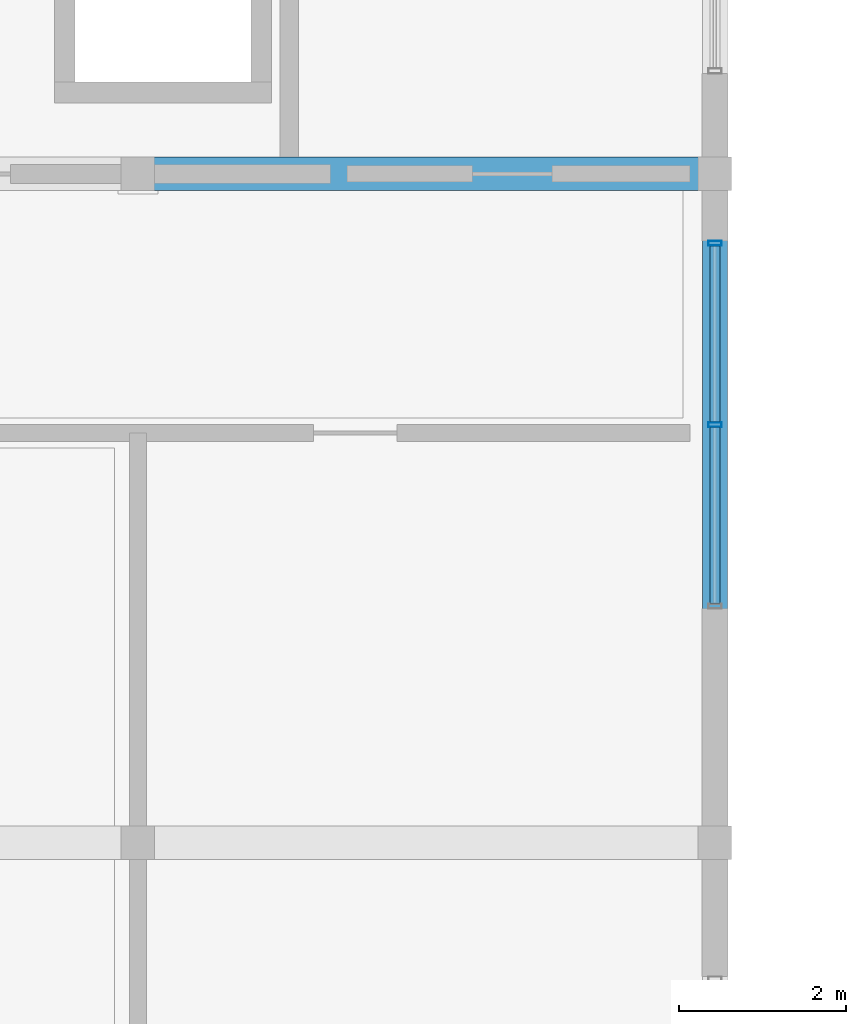
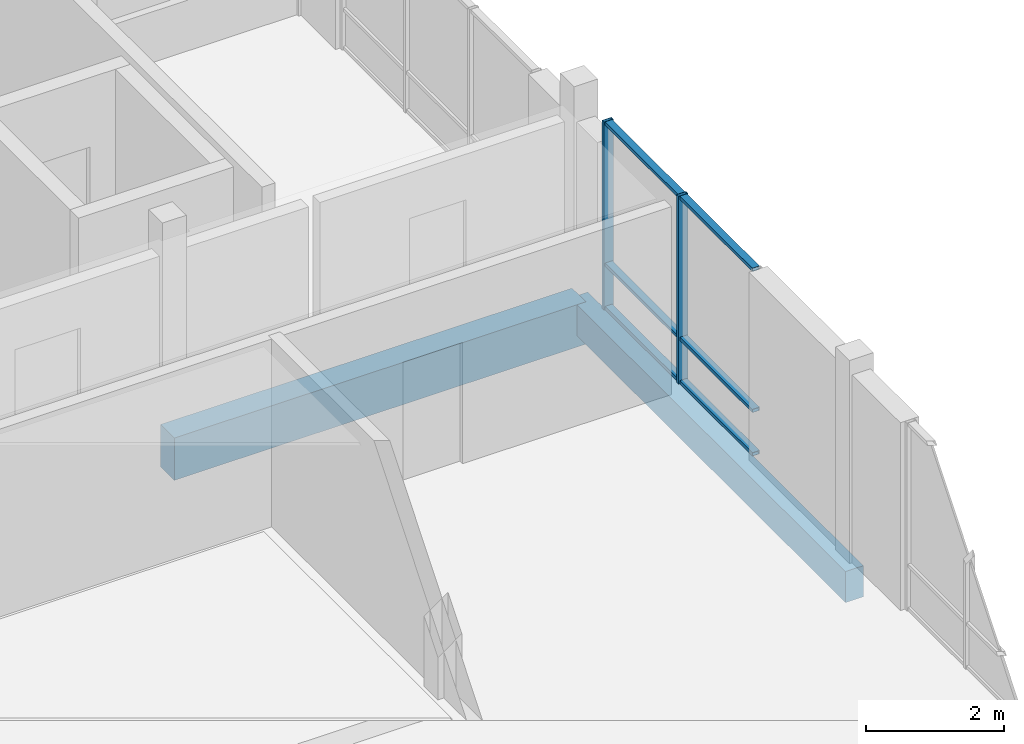
# One storey, part 71 of 189: 8 members, 2 beams, 1 element without a shape of its own.
"""IFC4 building model written with IfcOpenShell, lengths in metres."""

import ifcopenshell
import ifcopenshell.guid

model = None  # the IFC model being written
_history = None  # IfcOwnerHistory: only IFC2X3 demands one
_inside = {}  # id of a spatial element -> (the spatial element, [elements in it])
_under = {}  # id of a project, library or spatial element -> (it, [spatial elements below it])
_declared = {}  # id of a project -> (the project, [libraries it declares])
_typed = {}  # id of a type object -> (the type object, [elements of that type])
_made_of = {}  # id of a material, layer set ... -> (it, [elements and type objects made of it])


def new_model(schema):
    """Start an empty IFC model of exactly this schema.

    Asked for "IFC4X3", IfcOpenShell would pick the latest addendum, in which some entities
    have other attributes; the version numbers below select the first issue.
    IFC2X3 requires an IfcOwnerHistory on every rooted entity: one is made here for all.
    """
    global model, _history
    if schema == "IFC4X3":
        model = ifcopenshell.file(schema_version=(4, 3, 0, 0))
    else:
        model = ifcopenshell.file(schema=schema)
    _inside.clear()
    _under.clear()
    _declared.clear()
    _typed.clear()
    _made_of.clear()
    _history = None
    if model.schema == "IFC2X3":
        org = make("IfcOrganization", Name="unknown")
        user = make(
            "IfcPersonAndOrganization",
            ThePerson=make("IfcPerson", FamilyName="unknown"),
            TheOrganization=org,
        )
        app = make(
            "IfcApplication",
            ApplicationDeveloper=org,
            Version="unknown",
            ApplicationFullName="unknown",
            ApplicationIdentifier="unknown",
        )
        _history = make(
            "IfcOwnerHistory",
            OwningUser=user,
            OwningApplication=app,
            ChangeAction="ADDED",
            CreationDate=0,
        )
    return model


def make(cls, **values):
    """One entity of the class cls with the attributes given. An attribute that is None is left unset."""
    return model.create_entity(
        cls, **{name: value for name, value in values.items() if value is not None}
    )


def rooted(cls, **values):
    """An entity with a GlobalId (a new one), such as an element, a storey or a relation."""
    return make(cls, GlobalId=ifcopenshell.guid.new(), OwnerHistory=_history, **values)


def si_unit(unit_type, name, prefix=None):
    """IfcSIUnit, for example si_unit("LENGTHUNIT", "METRE", prefix="MILLI")."""
    return make("IfcSIUnit", UnitType=unit_type, Prefix=prefix, Name=name)


def assignment(units):
    """IfcUnitAssignment: the units of a project."""
    return None if units is None else make("IfcUnitAssignment", Units=units)


def point(xyz):
    """IfcCartesianPoint."""
    return None if xyz is None else make("IfcCartesianPoint", Coordinates=xyz)


def direction(xyz):
    """IfcDirection."""
    return None if xyz is None else make("IfcDirection", DirectionRatios=xyz)


def frame(location, z_axis=None, x_axis=None):
    """IfcAxis2Placement3D, a coordinate frame: its origin and axes. An axis left out is left unset."""
    return make(
        "IfcAxis2Placement3D",
        Location=point(location),
        Axis=direction(z_axis),
        RefDirection=direction(x_axis),
    )


def frame_2d(location, x_axis=None):
    """IfcAxis2Placement2D, a coordinate frame in the plane: its origin and x axis."""
    return make(
        "IfcAxis2Placement2D", Location=point(location), RefDirection=direction(x_axis)
    )


def origin():
    """The frame at (0, 0, 0) with its axes left unset."""
    return frame((0.0, 0.0, 0.0))


def origin_2d():
    """The frame at (0, 0) in the plane with its x axis left unset."""
    return frame_2d((0.0, 0.0))


def place(relative_to, where):
    """IfcLocalPlacement: puts the frame where relative to a parent placement (None: the world)."""
    return make(
        "IfcLocalPlacement", PlacementRelTo=relative_to, RelativePlacement=where
    )


def context(
    kind, dimensions, precision=None, world=None, true_north=None, identifier=None
):
    """IfcGeometricRepresentationContext, for example the 3D "Model" context."""
    return make(
        "IfcGeometricRepresentationContext",
        ContextIdentifier=identifier,
        ContextType=kind,
        CoordinateSpaceDimension=dimensions,
        Precision=precision,
        WorldCoordinateSystem=world,
        TrueNorth=true_north,
    )


def subcontext(parent, identifier, kind, view, scale=None):
    """IfcGeometricRepresentationSubContext, for example "Body" below "Model"."""
    return make(
        "IfcGeometricRepresentationSubContext",
        ContextIdentifier=identifier,
        ContextType=kind,
        ParentContext=parent,
        TargetScale=scale,
        TargetView=view,
    )


def project(units=None, contexts=None):
    """IfcProject with its units and contexts."""
    return rooted(
        "IfcProject",
        Name="project",
        RepresentationContexts=contexts,
        UnitsInContext=assignment(units),
    )


def spatial(cls, under=None, at=None, **own):
    """A site, building, storey or space (cls), placed at a placement, below another one or the project."""
    s = rooted(cls, ObjectPlacement=at, **own)
    if under is not None:
        _under.setdefault(under.id(), (under, []))[1].append(s)
    return s


def profile(cls, at=None, kind="AREA", **sizes):
    """A parametric profile (cls). Its sizes go by their IFC names, for example OverallWidth=200.0."""
    return make(cls, ProfileType=kind, Position=at, **sizes)


def rectangle(**sizes):
    """IfcRectangleProfileDef."""
    return profile("IfcRectangleProfileDef", **sizes)


def hollow_rectangle(**sizes):
    """IfcRectangleHollowProfileDef."""
    return profile("IfcRectangleHollowProfileDef", **sizes)


def extrude(swept, where, along, depth):
    """IfcExtrudedAreaSolid: the profile swept, set in the frame where, extruded along a direction by depth."""
    return make(
        "IfcExtrudedAreaSolid",
        SweptArea=swept,
        Position=where,
        ExtrudedDirection=direction(along),
        Depth=depth,
    )


def shape(context_of_items, identifier, shape_type, items):
    """IfcShapeRepresentation: the items that make up one representation, for example the "Body"."""
    return make(
        "IfcShapeRepresentation",
        ContextOfItems=context_of_items,
        RepresentationIdentifier=identifier,
        RepresentationType=shape_type,
        Items=items,
    )


def material(Name=None, Category=None):
    """IfcMaterial."""
    return make("IfcMaterial", Name=Name, Category=Category)


def material_profile(
    of_material, cross_section, Name=None, Category=None, Priority=None
):
    """IfcMaterialProfile: a cross section and its material."""
    return make(
        "IfcMaterialProfile",
        Name=Name,
        Material=of_material,
        Profile=cross_section,
        Priority=Priority,
        Category=Category,
    )


def profile_set(profiles, Name=None, composite=None):
    """IfcMaterialProfileSet."""
    return make(
        "IfcMaterialProfileSet",
        Name=Name,
        MaterialProfiles=profiles,
        CompositeProfile=composite,
    )


def made_of(thing, what):
    """Note that an element or type object is made of a material, layer set ...; save() writes the relation."""
    if what is not None:
        _made_of.setdefault(what.id(), (what, []))[1].append(thing)
    return thing


def type_object(cls, material=None, **own):
    """A type object (cls), such as IfcWallType, which elements share."""
    return made_of(rooted(cls, **own), material)


def element(
    cls,
    number,
    at=None,
    inside=None,
    cuts=None,
    type_object=None,
    material=None,
    context=None,
    identifier="Body",
    shape_type=None,
    held_by="IfcProductDefinitionShape",
    body=None,
    shapes=None,
    **own,
):
    """One element of the class cls, such as IfcWall. Its Tag is "e" and its number.

    at: its placement. inside: the storey or other place that contains it. cuts: it is an
    opening in that element (IfcRelVoidsElement). A single representation is given by context,
    identifier, shape_type and body (its items); several are given by shapes. held_by: the class
    of the entity that holds the representations. save() writes the other relations.
    """
    e = rooted(cls, Tag="e%d" % number, ObjectPlacement=at, **own)
    if body is not None:
        shapes = [shape(context, identifier, shape_type, body)]
    if shapes is not None:
        e.Representation = make(held_by, Representations=shapes)
    if inside is not None:
        _inside.setdefault(inside.id(), (inside, []))[1].append(e)
    if cuts is not None:
        rooted(
            "IfcRelVoidsElement", RelatingBuildingElement=cuts, RelatedOpeningElement=e
        )
    if type_object is not None:
        _typed.setdefault(type_object.id(), (type_object, []))[1].append(e)
    return made_of(e, material)


def aggregate(whole, parts):
    """IfcRelAggregates: a whole, such as a stair, and the parts it consists of."""
    return rooted("IfcRelAggregates", RelatingObject=whole, RelatedObjects=parts)


def save(model, path):
    """Write the relations noted so far, then the file.

    IfcRelAggregates (storeys below a building ...), IfcRelContainedInSpatialStructure (elements
    in a storey), IfcRelDefinesByType, IfcRelAssociatesMaterial and IfcRelDeclares: one each for
    every whole, place, type object, material and project.
    """
    for whole, parts in _under.values():
        aggregate(whole, parts)
    for where, things in _inside.values():
        rooted(
            "IfcRelContainedInSpatialStructure",
            RelatedElements=things,
            RelatingStructure=where,
        )
    for kind, things in _typed.values():
        rooted("IfcRelDefinesByType", RelatedObjects=things, RelatingType=kind)
    for what, things in _made_of.values():
        rooted("IfcRelAssociatesMaterial", RelatedObjects=things, RelatingMaterial=what)
    for by, libraries in _declared.values():
        rooted("IfcRelDeclares", RelatingContext=by, RelatedDefinitions=libraries)
    model.write(path)


model = new_model("IFC4")

# Units and contexts
model_context = context("Model", 3, precision=1e-05, world=origin(), true_north=direction((0.0, 1.0)))
body_context = subcontext(model_context, "Body", "Model", "MODEL_VIEW")
ifc_project = project(units=[si_unit("LENGTHUNIT", "METRE"), si_unit("AREAUNIT", "SQUARE_METRE"), si_unit("VOLUMEUNIT", "CUBIC_METRE"), si_unit("PLANEANGLEUNIT", "RADIAN"), si_unit("MASSUNIT", "GRAM", prefix="KILO")], contexts=[model_context])

# Site, building, storey
site_placement = place(None, origin())
site = spatial("IfcSite", under=ifc_project, at=site_placement, CompositionType="ELEMENT")
building_placement = place(site_placement, origin())
building = spatial("IfcBuilding", under=site, at=building_placement, Name="Zavelmont Quarter", CompositionType="ELEMENT")
storey_placement = place(building_placement, frame((0.0, 0.0, 4.39990234375)))
storey = spatial("IfcBuildingStorey", under=building, at=storey_placement, Name="L01", CompositionType="ELEMENT", Elevation=4.39990234375)

# Beams
ifc_material_1 = material(Name="Concrete C35/45", Category="concrete")
ifc_material_profile_1 = material_profile(ifc_material_1, rectangle(XDim=0.300048828125, YDim=0.550048828125, at=origin_2d()), Name="RC300X550")
ifc_profile_set_1 = profile_set([ifc_material_profile_1], Name="Concrete C35/45")
beam_type_1 = type_object("IfcBeamType", Name="BM02", PredefinedType="SPANDREL", material=ifc_profile_set_1)
beam_1_placement = place(storey_placement, frame((20.699951171875, 70.0, -0.554931640625), z_axis=(0.0, 1.0, 0.0), x_axis=(-1.0, 0.0, 0.0)))
element("IfcBeam", 1, at=beam_1_placement, inside=storey, type_object=beam_type_1, Name="L01 beam BM02 4/L to 4/M", PredefinedType="SPANDREL", context=body_context, shape_type="SweptSolid", body=[
    extrude(rectangle(XDim=0.300048828125, YDim=0.550048828125, at=origin_2d()), origin(), (0.0, 0.0, 1.0), 8.0),
])
ifc_material_2 = material(Name="Concrete C40/50", Category="concrete")
ifc_material_profile_2 = material_profile(ifc_material_2, rectangle(XDim=0.39990234375, YDim=0.75, at=origin_2d()), Name="RC400X750")
ifc_profile_set_2 = profile_set([ifc_material_profile_2], Name="Concrete C40/50")
beam_type_2 = type_object("IfcBeamType", Name="BM05", PredefinedType="BEAM", material=ifc_profile_set_2)
beam_2_placement = place(storey_placement, frame((13.800048828125, 78.0, -0.65478515625), z_axis=(1.0, 0.0, 0.0), x_axis=(0.0, 1.0, 0.0)))
element("IfcBeam", 2, at=beam_2_placement, inside=storey, type_object=beam_type_2, Name="L01 beam BM05 3/M to 4/M", PredefinedType="BEAM", context=body_context, shape_type="SweptSolid", body=[
    extrude(rectangle(XDim=0.39990234375, YDim=0.75, at=origin_2d()), origin(), (0.0, 0.0, 1.0), 6.89990234375),
])

# Curtain wall, members
ifc_material_3 = material(Name="Thermally broken aluminium and double low-E safety glazing", Category="aluminium")
curtain_wall_type = type_object("IfcCurtainWallType", Name="CW-440X333", PredefinedType="NOTDEFINED", material=ifc_material_3)
curtain_wall_placement = place(storey_placement, origin())
curtain_wall = element("IfcCurtainWall", 3, at=curtain_wall_placement, inside=storey, type_object=curtain_wall_type, Name="L01 unitised curtain wall CW-440X333", PredefinedType="NOTDEFINED")
ifc_material_4 = material(Name="Powder-coated aluminium EN AW-6063-T6", Category="aluminium")
ifc_material_profile_3 = material_profile(ifc_material_4, hollow_rectangle(XDim=0.06005859375, YDim=0.159912109375, WallThickness=0.00390625, at=origin_2d()), Name="CWM60X160")
ifc_profile_set_3 = profile_set([ifc_material_profile_3], Name="Powder-coated aluminium EN AW-6063-T6")
member_type_1 = type_object("IfcMemberType", Name="CWM01", PredefinedType="MULLION", material=ifc_profile_set_3)
member_1_placement = place(storey_placement, frame((20.699951171875, 75.0, 0.0), z_axis=(0.0, 0.0, 1.0), x_axis=(0.0, 1.0, 0.0)))
member_1 = element("IfcMember", 4, at=member_1_placement, type_object=member_type_1, Name="CW-440X333 mullion 2", PredefinedType="MULLION", context=body_context, shape_type="SweptSolid", body=[
    extrude(hollow_rectangle(XDim=0.06005859375, YDim=0.159912109375, WallThickness=0.00390625, at=origin_2d()), origin(), (0.0, 0.0, 1.0), 3.330078125),
])
member_2_placement = place(storey_placement, frame((20.699951171875, 77.169921875, 0.0), z_axis=(0.0, 0.0, 1.0), x_axis=(0.0, 1.0, 0.0)))
member_2 = element("IfcMember", 5, at=member_2_placement, type_object=member_type_1, Name="CW-440X333 mullion 3", PredefinedType="MULLION", context=body_context, shape_type="SweptSolid", body=[
    extrude(hollow_rectangle(XDim=0.06005859375, YDim=0.159912109375, WallThickness=0.00390625, at=origin_2d()), origin(), (0.0, 0.0, 1.0), 3.330078125),
])
ifc_material_profile_4 = material_profile(ifc_material_4, hollow_rectangle(XDim=0.1201171875, YDim=0.06005859375, WallThickness=0.00390625, at=origin_2d()), Name="CWT60X120")
ifc_profile_set_4 = profile_set([ifc_material_profile_4], Name="Powder-coated aluminium EN AW-6063-T6")
member_type_2 = type_object("IfcMemberType", Name="CWT01", PredefinedType="NOTDEFINED", material=ifc_profile_set_4)
member_3_placement = place(storey_placement, frame((20.699951171875, 72.860107421875, 0.030029296875), z_axis=(0.0, 1.0, 0.0), x_axis=(-1.0, 0.0, 0.0)))
member_3 = element("IfcMember", 6, at=member_3_placement, type_object=member_type_2, Name="CW-440X333 transom 1.1", ObjectType="TRANSOM", PredefinedType="USERDEFINED", context=body_context, shape_type="SweptSolid", body=[
    extrude(hollow_rectangle(XDim=0.1201171875, YDim=0.06005859375, WallThickness=0.00390625, at=origin_2d()), origin(), (0.0, 0.0, 1.0), 2.10986328125),
])
member_4_placement = place(storey_placement, frame((20.699951171875, 72.860107421875, 0.799072265625), z_axis=(0.0, 1.0, 0.0), x_axis=(-1.0, 0.0, 0.0)))
member_4 = element("IfcMember", 7, at=member_4_placement, type_object=member_type_2, Name="CW-440X333 transom 1.2", ObjectType="TRANSOM", PredefinedType="USERDEFINED", context=body_context, shape_type="SweptSolid", body=[
    extrude(hollow_rectangle(XDim=0.1201171875, YDim=0.06005859375, WallThickness=0.00390625, at=origin_2d()), origin(), (0.0, 0.0, 1.0), 2.10986328125),
])
member_5_placement = place(storey_placement, frame((20.699951171875, 72.860107421875, 3.300048828125), z_axis=(0.0, 1.0, 0.0), x_axis=(-1.0, 0.0, 0.0)))
member_5 = element("IfcMember", 8, at=member_5_placement, type_object=member_type_2, Name="CW-440X333 transom 1.3", ObjectType="TRANSOM", PredefinedType="USERDEFINED", context=body_context, shape_type="SweptSolid", body=[
    extrude(hollow_rectangle(XDim=0.1201171875, YDim=0.06005859375, WallThickness=0.00390625, at=origin_2d()), origin(), (0.0, 0.0, 1.0), 2.10986328125),
])
member_6_placement = place(storey_placement, frame((20.699951171875, 75.030029296875, 0.030029296875), z_axis=(0.0, 1.0, 0.0), x_axis=(-1.0, 0.0, 0.0)))
member_6 = element("IfcMember", 9, at=member_6_placement, type_object=member_type_2, Name="CW-440X333 transom 2.1", ObjectType="TRANSOM", PredefinedType="USERDEFINED", context=body_context, shape_type="SweptSolid", body=[
    extrude(hollow_rectangle(XDim=0.1201171875, YDim=0.06005859375, WallThickness=0.00390625, at=origin_2d()), origin(), (0.0, 0.0, 1.0), 2.10986328125),
])
member_7_placement = place(storey_placement, frame((20.699951171875, 75.030029296875, 0.799072265625), z_axis=(0.0, 1.0, 0.0), x_axis=(-1.0, 0.0, 0.0)))
member_7 = element("IfcMember", 10, at=member_7_placement, type_object=member_type_2, Name="CW-440X333 transom 2.2", ObjectType="TRANSOM", PredefinedType="USERDEFINED", context=body_context, shape_type="SweptSolid", body=[
    extrude(hollow_rectangle(XDim=0.1201171875, YDim=0.06005859375, WallThickness=0.00390625, at=origin_2d()), origin(), (0.0, 0.0, 1.0), 2.10986328125),
])
member_8_placement = place(storey_placement, frame((20.699951171875, 75.030029296875, 3.300048828125), z_axis=(0.0, 1.0, 0.0), x_axis=(-1.0, 0.0, 0.0)))
member_8 = element("IfcMember", 11, at=member_8_placement, type_object=member_type_2, Name="CW-440X333 transom 2.3", ObjectType="TRANSOM", PredefinedType="USERDEFINED", context=body_context, shape_type="SweptSolid", body=[
    extrude(hollow_rectangle(XDim=0.1201171875, YDim=0.06005859375, WallThickness=0.00390625, at=origin_2d()), origin(), (0.0, 0.0, 1.0), 2.10986328125),
])
aggregate(curtain_wall, [member_1, member_2, member_3, member_4, member_5, member_6, member_7, member_8])

save(model, "model.ifc")
